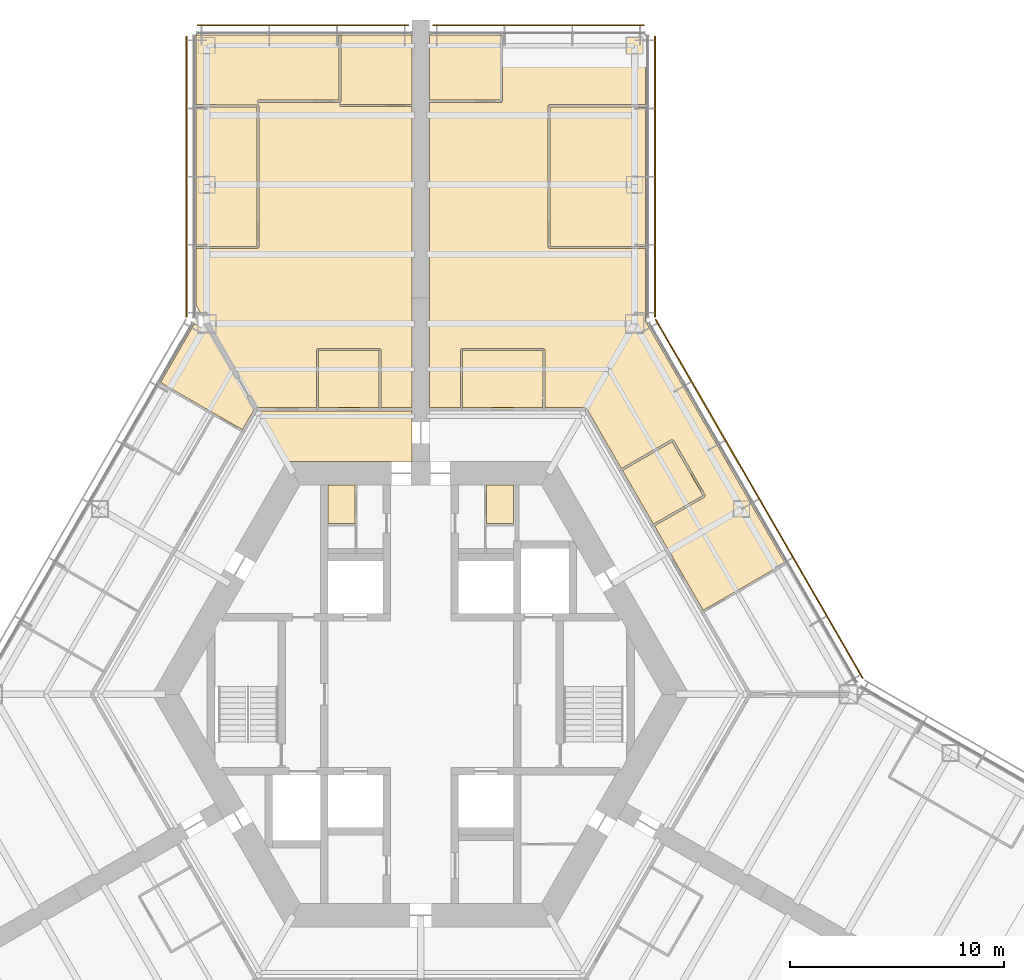
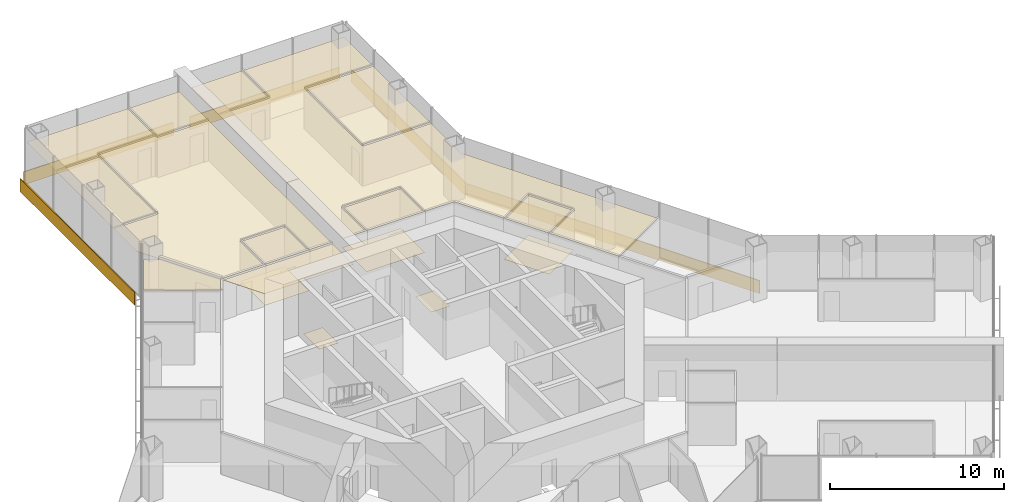
# One storey, part 19 of 19: 17 coverings, 5 shading devices.
"""IFC4 building model written with IfcOpenShell, lengths in metres."""

from ifc_helpers import new_model, si_unit, direction, frame, origin, origin_2d, place, context, subcontext, project, spatial, polyline, rectangle, outline, extrude, material, layer, layer_set, type_object, element, save


model = new_model("IFC4")

# Units and contexts
model_context = context("Model", 3, precision=1e-05, world=origin(), true_north=direction((0.0, 1.0)))
body_context = subcontext(model_context, "Body", "Model", "MODEL_VIEW")
ifc_project = project(units=[si_unit("LENGTHUNIT", "METRE"), si_unit("AREAUNIT", "SQUARE_METRE"), si_unit("VOLUMEUNIT", "CUBIC_METRE"), si_unit("PLANEANGLEUNIT", "RADIAN"), si_unit("MASSUNIT", "GRAM", prefix="KILO")], contexts=[model_context])

# Site, building, storey
site_placement = place(None, origin())
site = spatial("IfcSite", under=ifc_project, at=site_placement, CompositionType="ELEMENT")
building_placement = place(site_placement, origin())
building = spatial("IfcBuilding", under=site, at=building_placement, Name="Kasaneha Research Tower", CompositionType="ELEMENT")
storey_placement = place(building_placement, frame((0.0, 0.0, 88.5)))
storey = spatial("IfcBuildingStorey", under=building, at=storey_placement, Name="L22", CompositionType="ELEMENT", Elevation=88.5)

# Coverings
ifc_material_1 = material(Name="Gypsum ceiling board", Category="gypsum")
ifc_layer_1 = layer(ifc_material_1, 0.02001953125)
ifc_layer_set_1 = layer_set([ifc_layer_1], Name="Suspended ceiling 20")
covering_type_1 = type_object("IfcCoveringType", Name="Suspended ceiling 20", PredefinedType="CEILING", material=ifc_layer_set_1)
covering_1_placement = place(storey_placement, frame((0.0, 0.0, 2.800048828125)))
element("IfcCovering", 1, at=covering_1_placement, inside=storey, type_object=covering_type_1, Name="Ceiling L22-28", PredefinedType="CEILING", context=body_context, shape_type="SweptSolid", body=[
    extrude(outline(polyline([(1.954345703125, 13.39990234375), (1.9501953125, 16.074951171875), (5.70703125, 16.074951171875), (5.70263671875, 13.39990234375), (1.954345703125, 13.39990234375)])), origin(), (0.0, 0.0, 1.0), 0.02001953125),
])
covering_2_placement = place(storey_placement, frame((0.0, 0.0, 2.800048828125)))
element("IfcCovering", 2, at=covering_2_placement, inside=storey, type_object=covering_type_1, Name="Ceiling L22-29", PredefinedType="CEILING", context=body_context, shape_type="SweptSolid", body=[
    extrude(outline(polyline([(11.746337890625, 11.8046875), (13.1962890625, 9.293212890625), (10.877685546875, 7.95947265625), (9.431884765625, 10.46337890625), (11.746337890625, 11.8046875)])), origin(), (0.0, 0.0, 1.0), 0.02001953125),
])
covering_3_placement = place(storey_placement, frame((0.0, 0.0, 2.800048828125)))
element("IfcCovering", 3, at=covering_3_placement, inside=storey, type_object=covering_type_1, Name="Ceiling L22-31", PredefinedType="CEILING", context=body_context, shape_type="SweptSolid", body=[
    extrude(outline(polyline([(10.5, 20.941162109375), (6.050048828125, 20.941162109375), (6.050048828125, 27.460693359375), (10.5, 27.460693359375), (10.5, 20.941162109375)])), origin(), (0.0, 0.0, 1.0), 0.02001953125),
])
covering_4_placement = place(storey_placement, frame((0.0, 0.0, 2.800048828125)))
element("IfcCovering", 4, at=covering_4_placement, inside=storey, type_object=covering_type_1, Name="Ceiling L22-32", PredefinedType="CEILING", context=body_context, shape_type="SweptSolid", body=[
    extrude(outline(polyline([(3.7666015625, 30.820556640625), (3.7666015625, 30.800537109375), (3.716796875, 30.800537109375), (3.716796875, 27.7705078125), (0.419921875, 27.7705078125), (0.419921875, 27.720458984375), (0.39990234375, 27.720458984375), (0.39990234375, 30.820556640625), (3.7666015625, 30.820556640625)])), origin(), (0.0, 0.0, 1.0), 0.02001953125),
])
covering_5_placement = place(storey_placement, frame((0.0, 0.0, 2.800048828125)))
element("IfcCovering", 5, at=covering_5_placement, inside=storey, type_object=covering_type_1, Name="Ceiling L22-33", PredefinedType="CEILING", context=body_context, shape_type="SweptSolid", body=[
    extrude(outline(polyline([(13.26513671875, 9.27490234375), (13.264892578125, 9.275146484375), (13.30810546875, 9.2998046875), (11.80810546875, 11.89794921875), (11.76513671875, 11.873291015625), (11.76513671875, 11.873291015625), (11.7646484375, 11.873046875), (11.73974609375, 11.916259765625), (9.3818359375, 10.550048828125), (7.758056640625, 13.362548828125), (7.693603515625, 13.3251953125), (7.693603515625, 13.325439453125), (7.693115234375, 13.325439453125), (7.693115234375, 13.39990234375), (5.802734375, 13.39990234375), (5.806884765625, 16.125), (5.757080078125, 16.125), (5.757080078125, 16.12548828125), (5.757080078125, 16.12548828125), (5.757080078125, 16.175048828125), (1.89990234375, 16.175048828125), (1.89990234375, 16.12548828125), (1.899658203125, 16.12548828125), (1.899658203125, 16.125), (1.85009765625, 16.125), (1.8544921875, 13.39990234375), (0.419921875, 13.39990234375), (0.419921875, 13.325439453125), (0.39990234375, 13.325439453125), (0.39990234375, 27.719970703125), (0.419921875, 27.719970703125), (0.419921875, 27.67041015625), (3.7666015625, 27.67041015625), (3.7666015625, 27.72021484375), (3.76708984375, 27.72021484375), (3.76708984375, 27.720458984375), (3.816650390625, 27.720458984375), (3.816650390625, 30.800537109375), (3.76708984375, 30.800537109375), (3.76708984375, 30.820556640625), (10.5, 30.820556640625), (10.5, 27.560791015625), (6.0, 27.560791015625), (6.0, 27.510986328125), (5.99951171875, 27.510986328125), (5.99951171875, 27.5107421875), (5.949951171875, 27.5107421875), (5.949951171875, 20.89111328125), (5.99951171875, 20.89111328125), (5.99951171875, 20.890869140625), (6.0, 20.890869140625), (6.0, 20.841064453125), (10.5, 20.841064453125), (10.5, 17.45458984375), (17.055908203125, 6.09912109375), (17.055908203125, 6.09912109375), (17.03125, 6.14208984375), (13.205078125, 3.927978515625), (10.927490234375, 7.872802734375), (13.28955078125, 9.2314453125), (13.264892578125, 9.274658203125), (13.26513671875, 9.27490234375)])), origin(), (0.0, 0.0, 1.0), 0.02001953125),
])
covering_6_placement = place(storey_placement, frame((0.0, 0.0, 2.800048828125)))
element("IfcCovering", 6, at=covering_6_placement, inside=storey, type_object=covering_type_1, Name="Ceiling L22-34", PredefinedType="CEILING", context=body_context, shape_type="SweptSolid", body=[
    extrude(outline(polyline([(-0.39990234375, 11.72509765625), (-0.39990234375, 10.875), (-6.278564453125, 10.875), (-7.64990234375, 13.25), (-7.64990234375, 13.25), (-4.833984375, 13.25), (-4.824462890625, 13.25), (-1.904541015625, 13.25), (-1.89501953125, 13.25), (-0.419921875, 13.25), (-0.419921875, 13.324951171875), (-0.39990234375, 13.324951171875), (-0.39990234375, 12.72509765625), (-0.39990234375, 11.72509765625)])), origin(), (0.0, 0.0, 1.0), 0.02001953125),
])
covering_7_placement = place(storey_placement, frame((0.0, 0.0, 2.800048828125)))
element("IfcCovering", 7, at=covering_7_placement, inside=storey, type_object=covering_type_1, Name="Ceiling L22-35", PredefinedType="CEILING", context=body_context, shape_type="SweptSolid", body=[
    extrude(outline(polyline([(-4.77880859375, 16.074951171875), (-1.9501953125, 16.074951171875), (-1.954345703125, 13.39990234375), (-4.774658203125, 13.39990234375), (-4.77880859375, 16.074951171875)])), origin(), (0.0, 0.0, 1.0), 0.02001953125),
])
covering_8_placement = place(storey_placement, frame((0.0, 0.0, 2.800048828125)))
element("IfcCovering", 8, at=covering_8_placement, inside=storey, type_object=covering_type_1, Name="Ceiling L22-36", PredefinedType="CEILING", context=body_context, shape_type="SweptSolid", body=[
    extrude(outline(polyline([(-10.5, 27.460693359375), (-7.654052734375, 27.455322265625), (-7.650146484375, 20.941162109375), (-10.5, 20.941162109375), (-10.5, 27.460693359375)])), origin(), (0.0, 0.0, 1.0), 0.02001953125),
])
covering_9_placement = place(storey_placement, frame((0.0, 0.0, 2.800048828125)))
element("IfcCovering", 9, at=covering_9_placement, inside=storey, type_object=covering_type_1, Name="Ceiling L22-37", PredefinedType="CEILING", context=body_context, shape_type="SweptSolid", body=[
    extrude(outline(polyline([(-0.39990234375, 27.5205078125), (-0.419921875, 27.5205078125), (-0.419921875, 27.570556640625), (-3.7666015625, 27.570556640625), (-3.7666015625, 27.675048828125), (-3.7666015625, 27.675048828125), (-3.7666015625, 27.701904296875), (-3.7666015625, 27.715576171875), (-3.716796875, 27.715576171875), (-3.716796875, 30.800537109375), (-3.7666015625, 30.800537109375), (-3.7666015625, 30.820556640625), (-0.39990234375, 30.820556640625), (-0.39990234375, 27.5205078125)])), origin(), (0.0, 0.0, 1.0), 0.02001953125),
])
covering_10_placement = place(storey_placement, frame((0.0, 0.0, 2.800048828125)))
element("IfcCovering", 10, at=covering_10_placement, inside=storey, type_object=covering_type_1, Name="Ceiling L22-38", PredefinedType="CEILING", context=body_context, shape_type="SweptSolid", body=[
    extrude(outline(polyline([(-7.599609375, 27.5107421875), (-7.60009765625, 27.5107421875), (-7.599853515625, 27.55517578125), (-10.5, 27.560791015625), (-10.5, 27.510986328125), (-10.50048828125, 27.510986328125), (-10.500244140625, 30.821044921875), (-3.7666015625, 30.820556640625), (-3.7666015625, 30.800537109375), (-3.816650390625, 30.800537109375), (-3.816650390625, 27.77490234375), (-7.59912109375, 27.76953125), (-7.59912109375, 27.719482421875), (-7.599609375, 27.5107421875)])), origin(), (0.0, 0.0, 1.0), 0.02001953125),
])
covering_11_placement = place(storey_placement, frame((0.0, 0.0, 2.800048828125)))
element("IfcCovering", 11, at=covering_11_placement, inside=storey, type_object=covering_type_1, Name="Ceiling L22-39", PredefinedType="CEILING", context=body_context, shape_type="SweptSolid", body=[
    extrude(outline(polyline([(-1.89990234375, 16.125244140625), (-1.89990234375, 16.175048828125), (-4.8291015625, 16.175048828125), (-4.8291015625, 16.12548828125), (-4.8291015625, 16.125), (-4.87890625, 16.125), (-4.87451171875, 13.39990234375), (-7.670166015625, 13.39990234375), (-7.670166015625, 13.325439453125), (-7.693359375, 13.325439453125), (-10.5, 18.1865234375), (-10.5, 20.841064453125), (-7.60009765625, 20.841064453125), (-7.60009765625, 20.890869140625), (-7.599609375, 20.890869140625), (-7.599609375, 20.89111328125), (-7.550048828125, 20.89111328125), (-7.553955078125, 27.5107421875), (-7.59912109375, 27.5107421875), (-7.59912109375, 27.719482421875), (-7.598876953125, 27.66943359375), (-3.76708984375, 27.675048828125), (-3.7666015625, 27.52001953125), (-3.7666015625, 27.52001953125), (-3.7666015625, 27.470458984375), (-0.419921875, 27.470458984375), (-0.419921875, 27.52001953125), (-0.39990234375, 27.52001953125), (-0.39990234375, 13.325439453125), (-0.419921875, 13.325439453125), (-0.419921875, 13.39990234375), (-1.8544921875, 13.39990234375), (-1.85009765625, 16.125), (-1.899658203125, 16.125), (-1.899658203125, 16.125244140625), (-1.89990234375, 16.125244140625)])), origin(), (0.0, 0.0, 1.0), 0.02001953125),
])
covering_12_placement = place(storey_placement, frame((0.0, 0.0, 2.800048828125)))
element("IfcCovering", 12, at=covering_12_placement, inside=storey, type_object=covering_type_1, Name="Ceiling L22-44", PredefinedType="CEILING", context=body_context, shape_type="SweptSolid", body=[
    extrude(outline(polyline([(-10.578369140625, 17.318603515625), (-9.709228515625, 16.81689453125), (-7.693115234375, 13.324951171875), (-7.704833984375, 13.304931640625), (-7.76953125, 13.342529296875), (-8.331298828125, 12.369873046875), (-9.654052734375, 13.128662109375), (-9.656494140625, 13.12451171875), (-12.16162109375, 14.576416015625), (-12.1865234375, 14.533203125), (-12.1865234375, 14.533203125), (-10.578369140625, 17.318603515625)])), origin(), (0.0, 0.0, 1.0), 0.02001953125),
])

# Shading devices
ifc_material_2 = material(Name="Terracotta", Category="masonry")
ifc_layer_2 = layer(ifc_material_2, 0.06005859375)
ifc_layer_set_2 = layer_set([ifc_layer_2], Name="Terracotta baguette screen")
shading_device_type = type_object("IfcShadingDeviceType", Name="Terracotta baguette screen", PredefinedType="USERDEFINED", material=ifc_layer_set_2)
shading_device_1_placement = place(storey_placement, frame((15.82275390625, 9.13525390625, -0.449951171875), z_axis=(0.0, 0.0, 1.0), x_axis=(-0.49999996188, 0.866025425793, 0.0)))
element("IfcShadingDevice", 13, at=shading_device_1_placement, inside=storey, type_object=shading_device_type, Name="Baguette screen L22 07", ObjectType="TERRACOTTA BAGUETTE SCREEN", PredefinedType="USERDEFINED", context=body_context, shape_type="SweptSolid", body=[
    extrude(rectangle(XDim=19.37841796875, YDim=0.06005859375, at=origin_2d()), origin(), (0.0, 0.0, 1.0), 0.89990234375),
])
shading_device_2_placement = place(storey_placement, frame((10.949951171875, 24.200927734375, -0.449951171875), z_axis=(0.0, 0.0, 1.0), x_axis=(0.0, 1.0, 0.0)))
element("IfcShadingDevice", 14, at=shading_device_2_placement, inside=storey, type_object=shading_device_type, Name="Baguette screen L22 08", ObjectType="TERRACOTTA BAGUETTE SCREEN", PredefinedType="USERDEFINED", context=body_context, shape_type="SweptSolid", body=[
    extrude(rectangle(XDim=13.13916015625, YDim=0.06005859375, at=origin_2d()), origin(), (0.0, 0.0, 1.0), 0.89990234375),
])
for number, where, z_axis, x_axis, name in (
    (15, (5.5, 31.2705078125, -0.449951171875), (0.0, 0.0, 1.0), (-1.0, 0.0, 0.0), "Baguette screen L22 09"),
    (16, (-5.5, 31.2705078125, -0.449951171875), (0.0, 0.0, 1.0), (-1.0, 0.0, 0.0), "Baguette screen L22 10"),
):
    element("IfcShadingDevice", number, at=place(storey_placement, frame(where, z_axis=z_axis, x_axis=x_axis)), inside=storey, type_object=shading_device_type, Name=name, ObjectType="TERRACOTTA BAGUETTE SCREEN", PredefinedType="USERDEFINED", context=body_context, shape_type="SweptSolid", body=[
        extrude(rectangle(XDim=9.89990234375, YDim=0.06005859375, at=origin_2d()), origin(), (0.0, 0.0, 1.0), 0.89990234375),
    ])
shading_device_3_placement = place(storey_placement, frame((-10.949951171875, 24.200927734375, -0.449951171875), z_axis=(0.0, 0.0, 1.0), x_axis=(0.0, -1.0, 0.0)))
element("IfcShadingDevice", 17, at=shading_device_3_placement, inside=storey, type_object=shading_device_type, Name="Baguette screen L22 11", ObjectType="TERRACOTTA BAGUETTE SCREEN", PredefinedType="USERDEFINED", context=body_context, shape_type="SweptSolid", body=[
    extrude(rectangle(XDim=13.13916015625, YDim=0.06005859375, at=origin_2d()), origin(), (0.0, 0.0, 1.0), 0.89990234375),
])

# Coverings
ifc_material_3 = material(Name="Vinyl sheet flooring", Category="plastic")
ifc_layer_3 = layer(ifc_material_3, 0.0048828125)
ifc_layer_set_3 = layer_set([ifc_layer_3], Name="Wet room sheet flooring 5")
covering_type_2 = type_object("IfcCoveringType", Name="Wet room sheet flooring 5", PredefinedType="FLOORING", material=ifc_layer_set_3)
covering_13_placement = place(storey_placement, origin())
element("IfcCovering", 18, at=covering_13_placement, inside=storey, type_object=covering_type_2, Name="Floor finish L22-07", PredefinedType="FLOORING", context=body_context, shape_type="SweptSolid", body=[
    extrude(outline(polyline([(-4.324951171875, 7.97509765625), (-4.324951171875, 9.77490234375), (-3.074951171875, 9.77490234375), (-3.074951171875, 7.97509765625), (-4.324951171875, 7.97509765625)])), origin(), (0.0, 0.0, 1.0), 0.0048828125),
])
covering_14_placement = place(storey_placement, origin())
element("IfcCovering", 19, at=covering_14_placement, inside=storey, type_object=covering_type_2, Name="Floor finish L22-10", PredefinedType="FLOORING", context=body_context, shape_type="SweptSolid", body=[
    extrude(outline(polyline([(4.324951171875, 7.97509765625), (3.074951171875, 7.97509765625), (3.074951171875, 9.77490234375), (4.324951171875, 9.77490234375), (4.324951171875, 7.97509765625)])), origin(), (0.0, 0.0, 1.0), 0.0048828125),
])
covering_15_placement = place(storey_placement, origin())
element("IfcCovering", 20, at=covering_15_placement, inside=storey, type_object=covering_type_2, Name="Floor finish L22-28", PredefinedType="FLOORING", context=body_context, shape_type="SweptSolid", body=[
    extrude(outline(polyline([(1.89990234375, 16.125), (5.757080078125, 16.125), (5.757080078125, 13.324951171875), (1.89990234375, 13.324951171875), (1.89990234375, 16.125)])), origin(), (0.0, 0.0, 1.0), 0.0048828125),
])
covering_16_placement = place(storey_placement, origin())
element("IfcCovering", 21, at=covering_16_placement, inside=storey, type_object=covering_type_2, Name="Floor finish L22-29", PredefinedType="FLOORING", context=body_context, shape_type="SweptSolid", body=[
    extrude(outline(polyline([(11.7646484375, 11.873046875), (13.2646484375, 9.27490234375), (10.83984375, 7.875), (9.33984375, 10.472900390625), (11.7646484375, 11.873046875)])), origin(), (0.0, 0.0, 1.0), 0.0048828125),
])
covering_17_placement = place(storey_placement, origin())
element("IfcCovering", 22, at=covering_17_placement, inside=storey, type_object=covering_type_2, Name="Floor finish L22-35", PredefinedType="FLOORING", context=body_context, shape_type="SweptSolid", body=[
    extrude(outline(polyline([(-4.8291015625, 16.125), (-1.89990234375, 16.125), (-1.89990234375, 13.324951171875), (-4.8291015625, 13.324951171875), (-4.8291015625, 16.125)])), origin(), (0.0, 0.0, 1.0), 0.0048828125),
])

save(model, "model.ifc")
